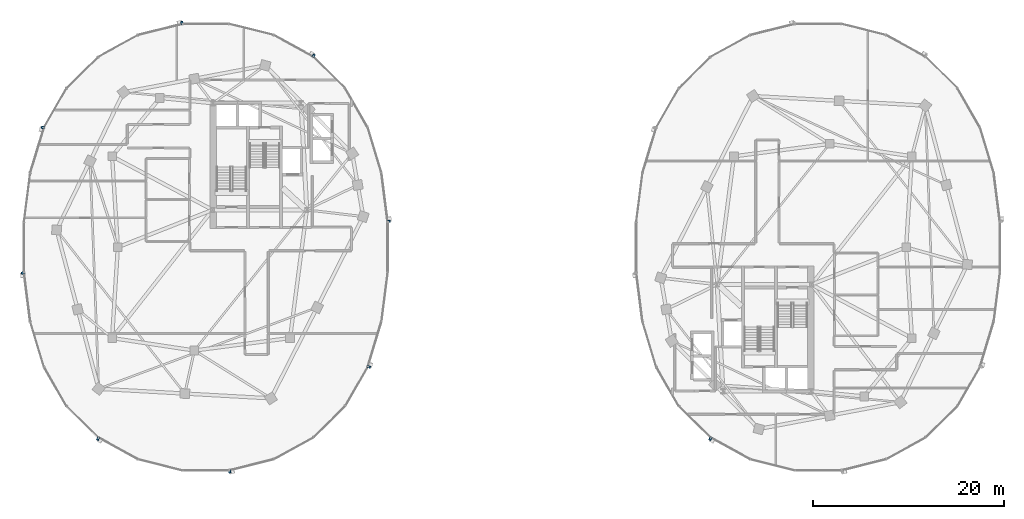
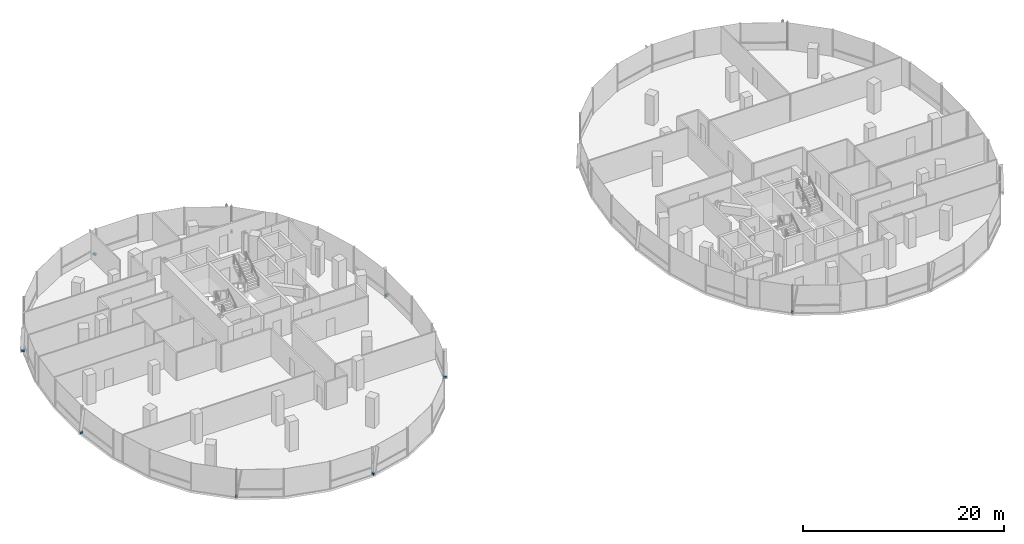
# One storey, part 16 of 22: 9 discrete accessories.
"""IFC4 building model written with IfcOpenShell, lengths in metres."""

from ifc_helpers import new_model, si_unit, direction, frame, origin, origin_2d, place, context, subcontext, project, spatial, rectangle, extrude, material, type_object, element, save


model = new_model("IFC4")

# Units and contexts
model_context = context("Model", 3, precision=1e-05, world=origin(), true_north=direction((0.0, 1.0)))
body_context = subcontext(model_context, "Body", "Model", "MODEL_VIEW")
ifc_project = project(units=[si_unit("LENGTHUNIT", "METRE"), si_unit("AREAUNIT", "SQUARE_METRE"), si_unit("VOLUMEUNIT", "CUBIC_METRE"), si_unit("PLANEANGLEUNIT", "RADIAN"), si_unit("MASSUNIT", "GRAM", prefix="KILO"), si_unit("THERMODYNAMICTEMPERATUREUNIT", "KELVIN"), si_unit("POWERUNIT", "WATT")], contexts=[model_context])

# Site, building, storey
site_placement = place(None, origin())
site = spatial("IfcSite", under=ifc_project, at=site_placement, CompositionType="ELEMENT")
building_placement = place(site_placement, origin())
building = spatial("IfcBuilding", under=site, at=building_placement, Name="Cundina Bronze Exchange", CompositionType="ELEMENT")
storey_placement = place(building_placement, frame((0.0, 0.0, 154.800048828125)))
storey = spatial("IfcBuildingStorey", under=building, at=storey_placement, Name="L40", CompositionType="ELEMENT", Elevation=154.800048828125)

# Discrete accessories
ifc_material = material(Name="Anodised Bronze Aluminium 6063-T6", Category="aluminium")
discrete_accessory_type = type_object("IfcDiscreteAccessoryType", Name="ACC-BRK-FIN", PredefinedType="BRACKET", material=ifc_material)
for number, where, z_axis, x_axis, name in (
    (1, (-12.874267578125, 2.69189453125, 0.10009765625), (0.0, 0.0, 1.0), (-0.126475984253, 0.9919696696, 0.0), "L40 Fin Support Bracket 1"),
    (2, (-20.733154296875, 20.015380859375, 0.10009765625), (0.0, 0.0, 1.0), (-0.875869093438, 0.482548786301, 0.0), "L40 Fin Support Bracket 5"),
    (3, (-34.492919921875, 23.44970703125, 0.10009765625), (0.0, 0.0, 1.0), (-0.970092713791, -0.242734683656, 0.0), "L40 Fin Support Bracket 1"),
    (4, (-49.0458984375, 12.511962890625, 0.10009765625), (0.0, 0.0, 1.0), (-0.290050843957, -0.957011237092, 0.0), "L40 Fin Support Bracket 5"),
    (5, (-51.125732421875, -2.69189453125, 0.10009765625), (0.0, 0.0, 1.0), (0.126475984253, -0.9919696696, 0.0), "L40 Fin Support Bracket 1"),
    (6, (-43.266845703125, -20.015380859375, 0.10009765625), (0.0, 0.0, 1.0), (0.875869093438, -0.482548786301, 0.0), "L40 Fin Support Bracket 5"),
    (7, (-29.507080078125, -23.44970703125, 0.10009765625), (0.0, 0.0, 1.0), (0.970092713791, 0.242734683656, 0.0), "L40 Fin Support Bracket 1"),
    (8, (-14.9541015625, -12.511962890625, 0.10009765625), (0.0, 0.0, 1.0), (0.290050843957, 0.957011237092, 0.0), "L40 Fin Support Bracket 5"),
    (9, (20.733154296875, -20.015380859375, 0.10009765625), (0.0, 0.0, 1.0), (0.875869093438, -0.482548786301, 0.0), "L40 Fin Support Bracket 5"),
):
    element("IfcDiscreteAccessory", number, at=place(storey_placement, frame(where, z_axis=z_axis, x_axis=x_axis)), inside=storey, type_object=discrete_accessory_type, Name=name, PredefinedType="BRACKET", context=body_context, shape_type="SweptSolid", body=[
        extrude(rectangle(XDim=0.219970703125, YDim=0.320068359375, at=origin_2d()), origin(), (0.0, 0.0, 1.0), 0.239990234375),
    ])

save(model, "model.ifc")
